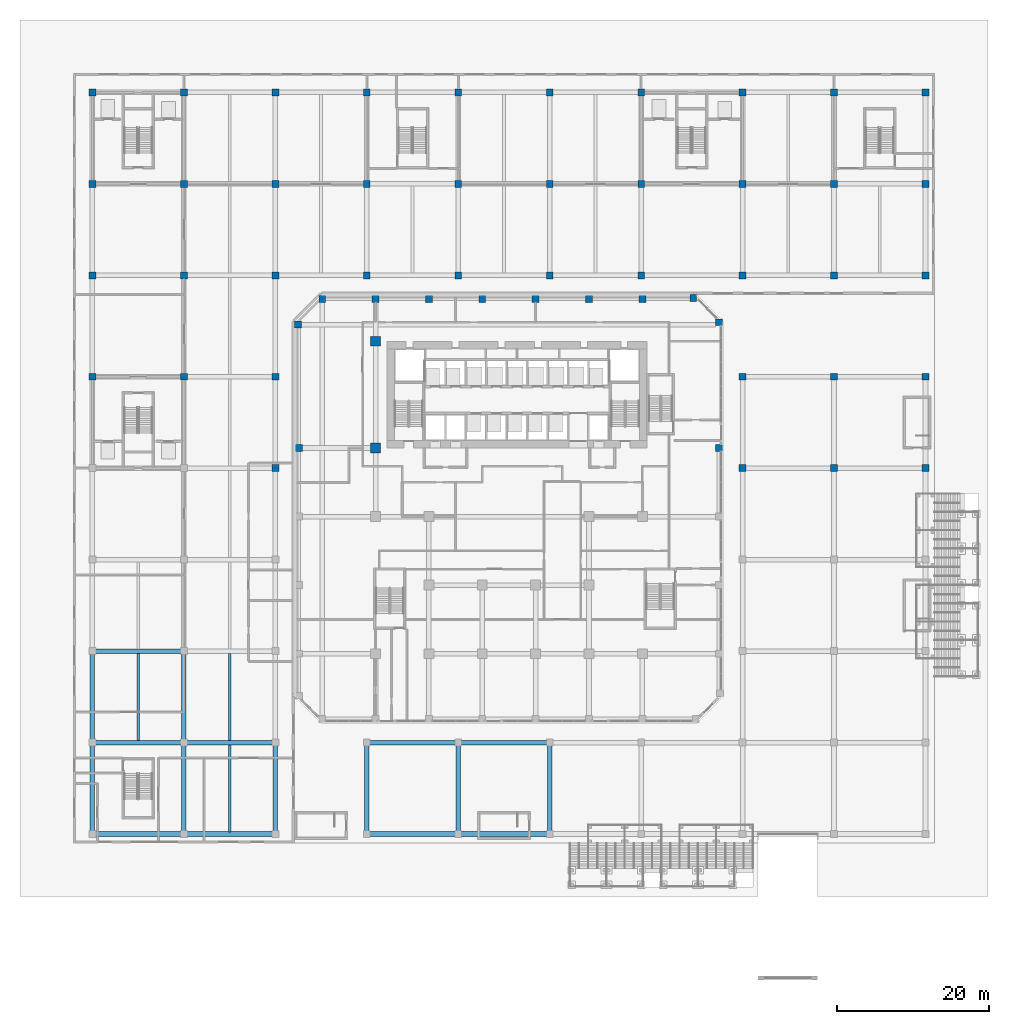
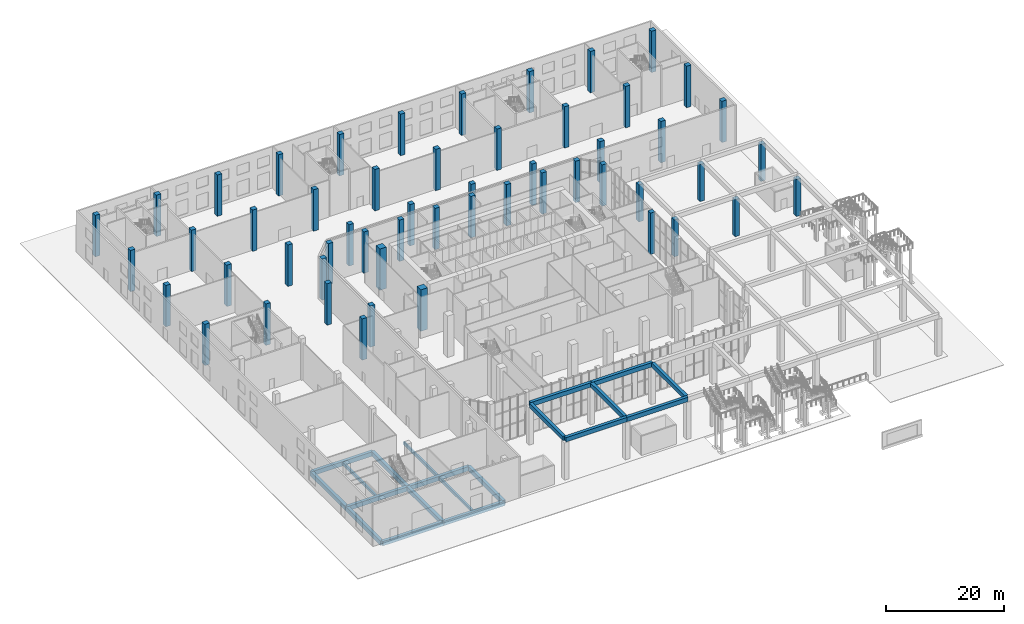
# One storey, part 2 of 43: 54 columns, 20 beams.
"""IFC4 building model written with IfcOpenShell, lengths in metres."""

import ifcopenshell
import ifcopenshell.guid

model = None  # the IFC model being written
_history = None  # IfcOwnerHistory: only IFC2X3 demands one
_inside = {}  # id of a spatial element -> (the spatial element, [elements in it])
_under = {}  # id of a project, library or spatial element -> (it, [spatial elements below it])
_declared = {}  # id of a project -> (the project, [libraries it declares])
_typed = {}  # id of a type object -> (the type object, [elements of that type])
_made_of = {}  # id of a material, layer set ... -> (it, [elements and type objects made of it])


def new_model(schema):
    """Start an empty IFC model of exactly this schema.

    Asked for "IFC4X3", IfcOpenShell would pick the latest addendum, in which some entities
    have other attributes; the version numbers below select the first issue.
    IFC2X3 requires an IfcOwnerHistory on every rooted entity: one is made here for all.
    """
    global model, _history
    if schema == "IFC4X3":
        model = ifcopenshell.file(schema_version=(4, 3, 0, 0))
    else:
        model = ifcopenshell.file(schema=schema)
    _inside.clear()
    _under.clear()
    _declared.clear()
    _typed.clear()
    _made_of.clear()
    _history = None
    if model.schema == "IFC2X3":
        org = make("IfcOrganization", Name="unknown")
        user = make(
            "IfcPersonAndOrganization",
            ThePerson=make("IfcPerson", FamilyName="unknown"),
            TheOrganization=org,
        )
        app = make(
            "IfcApplication",
            ApplicationDeveloper=org,
            Version="unknown",
            ApplicationFullName="unknown",
            ApplicationIdentifier="unknown",
        )
        _history = make(
            "IfcOwnerHistory",
            OwningUser=user,
            OwningApplication=app,
            ChangeAction="ADDED",
            CreationDate=0,
        )
    return model


def make(cls, **values):
    """One entity of the class cls with the attributes given. An attribute that is None is left unset."""
    return model.create_entity(
        cls, **{name: value for name, value in values.items() if value is not None}
    )


def rooted(cls, **values):
    """An entity with a GlobalId (a new one), such as an element, a storey or a relation."""
    return make(cls, GlobalId=ifcopenshell.guid.new(), OwnerHistory=_history, **values)


def si_unit(unit_type, name, prefix=None):
    """IfcSIUnit, for example si_unit("LENGTHUNIT", "METRE", prefix="MILLI")."""
    return make("IfcSIUnit", UnitType=unit_type, Prefix=prefix, Name=name)


def assignment(units):
    """IfcUnitAssignment: the units of a project."""
    return None if units is None else make("IfcUnitAssignment", Units=units)


def point(xyz):
    """IfcCartesianPoint."""
    return None if xyz is None else make("IfcCartesianPoint", Coordinates=xyz)


def direction(xyz):
    """IfcDirection."""
    return None if xyz is None else make("IfcDirection", DirectionRatios=xyz)


def frame(location, z_axis=None, x_axis=None):
    """IfcAxis2Placement3D, a coordinate frame: its origin and axes. An axis left out is left unset."""
    return make(
        "IfcAxis2Placement3D",
        Location=point(location),
        Axis=direction(z_axis),
        RefDirection=direction(x_axis),
    )


def frame_2d(location, x_axis=None):
    """IfcAxis2Placement2D, a coordinate frame in the plane: its origin and x axis."""
    return make(
        "IfcAxis2Placement2D", Location=point(location), RefDirection=direction(x_axis)
    )


def origin():
    """The frame at (0, 0, 0) with its axes left unset."""
    return frame((0.0, 0.0, 0.0))


def origin_2d():
    """The frame at (0, 0) in the plane with its x axis left unset."""
    return frame_2d((0.0, 0.0))


def place(relative_to, where):
    """IfcLocalPlacement: puts the frame where relative to a parent placement (None: the world)."""
    return make(
        "IfcLocalPlacement", PlacementRelTo=relative_to, RelativePlacement=where
    )


def context(
    kind, dimensions, precision=None, world=None, true_north=None, identifier=None
):
    """IfcGeometricRepresentationContext, for example the 3D "Model" context."""
    return make(
        "IfcGeometricRepresentationContext",
        ContextIdentifier=identifier,
        ContextType=kind,
        CoordinateSpaceDimension=dimensions,
        Precision=precision,
        WorldCoordinateSystem=world,
        TrueNorth=true_north,
    )


def subcontext(parent, identifier, kind, view, scale=None):
    """IfcGeometricRepresentationSubContext, for example "Body" below "Model"."""
    return make(
        "IfcGeometricRepresentationSubContext",
        ContextIdentifier=identifier,
        ContextType=kind,
        ParentContext=parent,
        TargetScale=scale,
        TargetView=view,
    )


def project(units=None, contexts=None):
    """IfcProject with its units and contexts."""
    return rooted(
        "IfcProject",
        Name="project",
        RepresentationContexts=contexts,
        UnitsInContext=assignment(units),
    )


def spatial(cls, under=None, at=None, **own):
    """A site, building, storey or space (cls), placed at a placement, below another one or the project."""
    s = rooted(cls, ObjectPlacement=at, **own)
    if under is not None:
        _under.setdefault(under.id(), (under, []))[1].append(s)
    return s


def profile(cls, at=None, kind="AREA", **sizes):
    """A parametric profile (cls). Its sizes go by their IFC names, for example OverallWidth=200.0."""
    return make(cls, ProfileType=kind, Position=at, **sizes)


def rectangle(**sizes):
    """IfcRectangleProfileDef."""
    return profile("IfcRectangleProfileDef", **sizes)


def extrude(swept, where, along, depth):
    """IfcExtrudedAreaSolid: the profile swept, set in the frame where, extruded along a direction by depth."""
    return make(
        "IfcExtrudedAreaSolid",
        SweptArea=swept,
        Position=where,
        ExtrudedDirection=direction(along),
        Depth=depth,
    )


def shape(context_of_items, identifier, shape_type, items):
    """IfcShapeRepresentation: the items that make up one representation, for example the "Body"."""
    return make(
        "IfcShapeRepresentation",
        ContextOfItems=context_of_items,
        RepresentationIdentifier=identifier,
        RepresentationType=shape_type,
        Items=items,
    )


def source(mapping_origin, context_of_items, identifier, shape_type, items):
    """IfcRepresentationMap: a shape defined once, which mapped items show again and again."""
    return make(
        "IfcRepresentationMap",
        MappingOrigin=mapping_origin,
        MappedRepresentation=shape(context_of_items, identifier, shape_type, items),
    )


def transform(
    local_origin,
    x_axis=None,
    y_axis=None,
    z_axis=None,
    scale=None,
    scale2=None,
    scale3=None,
    uniform=True,
):
    """IfcCartesianTransformationOperator3D, or its non-uniform kind. x_axis, y_axis, z_axis: its Axis1, 2, 3."""
    if uniform:
        return make(
            "IfcCartesianTransformationOperator3D",
            Axis1=direction(x_axis),
            Axis2=direction(y_axis),
            LocalOrigin=point(local_origin),
            Scale=scale,
            Axis3=direction(z_axis),
        )
    return make(
        "IfcCartesianTransformationOperator3DnonUniform",
        Axis1=direction(x_axis),
        Axis2=direction(y_axis),
        LocalOrigin=point(local_origin),
        Scale=scale,
        Axis3=direction(z_axis),
        Scale2=scale2,
        Scale3=scale3,
    )


def mapped(mapping_source, mapping_target):
    """IfcMappedItem: shows the shape of a source again, moved by a transform."""
    return make(
        "IfcMappedItem", MappingSource=mapping_source, MappingTarget=mapping_target
    )


def material(Name=None, Category=None):
    """IfcMaterial."""
    return make("IfcMaterial", Name=Name, Category=Category)


def material_profile(
    of_material, cross_section, Name=None, Category=None, Priority=None
):
    """IfcMaterialProfile: a cross section and its material."""
    return make(
        "IfcMaterialProfile",
        Name=Name,
        Material=of_material,
        Profile=cross_section,
        Priority=Priority,
        Category=Category,
    )


def profile_set(profiles, Name=None, composite=None):
    """IfcMaterialProfileSet."""
    return make(
        "IfcMaterialProfileSet",
        Name=Name,
        MaterialProfiles=profiles,
        CompositeProfile=composite,
    )


def made_of(thing, what):
    """Note that an element or type object is made of a material, layer set ...; save() writes the relation."""
    if what is not None:
        _made_of.setdefault(what.id(), (what, []))[1].append(thing)
    return thing


def type_object(cls, material=None, **own):
    """A type object (cls), such as IfcWallType, which elements share."""
    return made_of(rooted(cls, **own), material)


def element(
    cls,
    number,
    at=None,
    inside=None,
    cuts=None,
    type_object=None,
    material=None,
    context=None,
    identifier="Body",
    shape_type=None,
    held_by="IfcProductDefinitionShape",
    body=None,
    shapes=None,
    **own,
):
    """One element of the class cls, such as IfcWall. Its Tag is "e" and its number.

    at: its placement. inside: the storey or other place that contains it. cuts: it is an
    opening in that element (IfcRelVoidsElement). A single representation is given by context,
    identifier, shape_type and body (its items); several are given by shapes. held_by: the class
    of the entity that holds the representations. save() writes the other relations.
    """
    e = rooted(cls, Tag="e%d" % number, ObjectPlacement=at, **own)
    if body is not None:
        shapes = [shape(context, identifier, shape_type, body)]
    if shapes is not None:
        e.Representation = make(held_by, Representations=shapes)
    if inside is not None:
        _inside.setdefault(inside.id(), (inside, []))[1].append(e)
    if cuts is not None:
        rooted(
            "IfcRelVoidsElement", RelatingBuildingElement=cuts, RelatedOpeningElement=e
        )
    if type_object is not None:
        _typed.setdefault(type_object.id(), (type_object, []))[1].append(e)
    return made_of(e, material)


def aggregate(whole, parts):
    """IfcRelAggregates: a whole, such as a stair, and the parts it consists of."""
    return rooted("IfcRelAggregates", RelatingObject=whole, RelatedObjects=parts)


def save(model, path):
    """Write the relations noted so far, then the file.

    IfcRelAggregates (storeys below a building ...), IfcRelContainedInSpatialStructure (elements
    in a storey), IfcRelDefinesByType, IfcRelAssociatesMaterial and IfcRelDeclares: one each for
    every whole, place, type object, material and project.
    """
    for whole, parts in _under.values():
        aggregate(whole, parts)
    for where, things in _inside.values():
        rooted(
            "IfcRelContainedInSpatialStructure",
            RelatedElements=things,
            RelatingStructure=where,
        )
    for kind, things in _typed.values():
        rooted("IfcRelDefinesByType", RelatedObjects=things, RelatingType=kind)
    for what, things in _made_of.values():
        rooted("IfcRelAssociatesMaterial", RelatedObjects=things, RelatingMaterial=what)
    for by, libraries in _declared.values():
        rooted("IfcRelDeclares", RelatingContext=by, RelatedDefinitions=libraries)
    model.write(path)


model = new_model("IFC4")

# Units and contexts
model_context = context("Model", 3, precision=1e-05, world=origin(), true_north=direction((0.0, 1.0)))
body_context = subcontext(model_context, "Body", "Model", "MODEL_VIEW")
ifc_project = project(units=[si_unit("LENGTHUNIT", "METRE"), si_unit("AREAUNIT", "SQUARE_METRE"), si_unit("VOLUMEUNIT", "CUBIC_METRE"), si_unit("PLANEANGLEUNIT", "RADIAN"), si_unit("MASSUNIT", "GRAM", prefix="KILO")], contexts=[model_context])

# Site, building, storey
site_placement = place(None, origin())
site = spatial("IfcSite", under=ifc_project, at=site_placement, CompositionType="ELEMENT")
building_placement = place(site_placement, origin())
building = spatial("IfcBuilding", under=site, at=building_placement, Name="Kilnfold Tower and Market Hall", CompositionType="ELEMENT")
storey_placement = place(building_placement, origin())
storey = spatial("IfcBuildingStorey", under=building, at=storey_placement, Name="L00", CompositionType="ELEMENT", Elevation=0.0)

# Columns
ifc_material_1 = material(Name="Concrete C80", Category="concrete")
ifc_material_profile_1 = material_profile(ifc_material_1, rectangle(XDim=0.89990234375, YDim=0.89990234375, at=origin_2d()), Name="RC 900x900")
ifc_profile_set_1 = profile_set([ifc_material_profile_1], Name="Concrete C80")
column_type_1 = type_object("IfcColumnType", Name="COLUMN 900X900 C80", PredefinedType="COLUMN", material=ifc_profile_set_1)
shared_shape_1 = source(origin(), body_context, "Body", "SweptSolid", [
    extrude(rectangle(XDim=0.89990234375, YDim=0.89990234375, at=origin_2d()), origin(), (0.0, 0.0, 1.0), 8.60009765625),
])
for number, where, z_axis, x_axis, name in (
    (1, (-27.681884765625, 24.181884765625, 0.0), (0.0, 0.0, 1.0), (1.0, 0.0, 0.0), "Column C-B1-1H"),
    (2, (-27.550048828125, 8.0, 0.0), (0.0, 0.0, 1.0), (1.0, 0.0, 0.0), "Column C-B1-1F"),
    (3, (-24.5, 27.550048828125, 0.0), (0.0, 0.0, 1.0), (1.0, 0.0, 0.0), "Column C-B1-2I"),
    (4, (-17.5, 27.550048828125, 0.0), (0.0, 0.0, 1.0), (1.0, 0.0, 0.0), "Column C-B1-3I"),
    (5, (-10.5, 27.550048828125, 0.0), (0.0, 0.0, 1.0), (1.0, 0.0, 0.0), "Column C-B1-4I"),
    (6, (-3.5, 27.550048828125, 0.0), (0.0, 0.0, 1.0), (1.0, 0.0, 0.0), "Column C-B1-5I"),
    (7, (3.5, 27.550048828125, 0.0), (0.0, 0.0, 1.0), (1.0, 0.0, 0.0), "Column C-B1-6I"),
    (8, (10.5, 27.550048828125, 0.0), (0.0, 0.0, 1.0), (1.0, 0.0, 0.0), "Column C-B1-7I"),
    (9, (17.5, 27.550048828125, 0.0), (0.0, 0.0, 1.0), (1.0, 0.0, 0.0), "Column C-B1-8I"),
    (10, (24.181884765625, 27.681884765625, 0.0), (0.0, 0.0, 1.0), (1.0, 0.0, 0.0), "Column C-B1-9I"),
    (11, (27.550048828125, 8.0, 0.0), (0.0, 0.0, 1.0), (1.0, 0.0, 0.0), "Column C-B1-10F"),
    (12, (27.550048828125, 24.5, 0.0), (0.0, 0.0, 1.0), (1.0, 0.0, 0.0), "Column C-B1-10H"),
):
    element("IfcColumn", number, at=place(storey_placement, frame(where, z_axis=z_axis, x_axis=x_axis)), inside=storey, type_object=column_type_1, Name=name, PredefinedType="COLUMN", context=body_context, shape_type="MappedRepresentation", body=[
        mapped(shared_shape_1, transform((0.0, 0.0, 0.0))),
    ])
ifc_material_2 = material(Name="Concrete C80", Category="concrete")
ifc_material_profile_2 = material_profile(ifc_material_2, rectangle(XDim=1.300048828125, YDim=1.300048828125, at=origin_2d()), Name="RC 1300x1300")
ifc_profile_set_2 = profile_set([ifc_material_profile_2], Name="Concrete C80")
column_type_2 = type_object("IfcColumnType", Name="COLUMN 1300X1300 C80", PredefinedType="COLUMN", material=ifc_profile_set_2)
shared_shape_2 = source(origin(), body_context, "Body", "SweptSolid", [
    extrude(rectangle(XDim=1.300048828125, YDim=1.300048828125, at=origin_2d()), origin(), (0.0, 0.0, 1.0), 8.60009765625),
])
for number, where, z_axis, x_axis, name in (
    (13, (-17.5, 8.0, 0.0), (0.0, 0.0, 1.0), (1.0, 0.0, 0.0), "Column C-B1-3F"),
    (14, (-17.5, 22.0, 0.0), (0.0, 0.0, 1.0), (1.0, 0.0, 0.0), "Column C-B1-3G"),
):
    element("IfcColumn", number, at=place(storey_placement, frame(where, z_axis=z_axis, x_axis=x_axis)), inside=storey, type_object=column_type_2, Name=name, PredefinedType="COLUMN", context=body_context, shape_type="MappedRepresentation", body=[
        mapped(shared_shape_2, transform((0.0, 0.0, 0.0))),
    ])
ifc_material_3 = material(Name="Concrete C60/75", Category="concrete")
ifc_material_profile_3 = material_profile(ifc_material_3, rectangle(XDim=0.89990234375, YDim=0.89990234375, at=origin_2d()), Name="RC 900x900")
ifc_profile_set_3 = profile_set([ifc_material_profile_3], Name="Concrete C60/75")
column_type_3 = type_object("IfcColumnType", Name="HALL COL 900", PredefinedType="COLUMN", material=ifc_profile_set_3)
shared_shape_3 = source(origin(), body_context, "Body", "SweptSolid", [
    extrude(rectangle(XDim=0.89990234375, YDim=0.89990234375, at=origin_2d()), origin(), (0.0, 0.0, 1.0), 8.60009765625),
])
for number, where, z_axis, x_axis, name in (
    (15, (-54.64990234375, 17.35009765625, 0.0), (0.0, 0.0, 1.0), (1.0, 0.0, 0.0), "Column MC-1F"),
    (16, (-54.64990234375, 30.64990234375, 0.0), (0.0, 0.0, 1.0), (1.0, 0.0, 0.0), "Column MC-1G"),
    (17, (-54.64990234375, 42.64990234375, 0.0), (0.0, 0.0, 1.0), (1.0, 0.0, 0.0), "Column MC-1H"),
    (18, (-54.64990234375, 54.64990234375, 0.0), (0.0, 0.0, 1.0), (1.0, 0.0, 0.0), "Column MC-1I"),
    (19, (-42.64990234375, 17.35009765625, 0.0), (0.0, 0.0, 1.0), (1.0, 0.0, 0.0), "Column MC-2F"),
    (20, (-42.64990234375, 30.64990234375, 0.0), (0.0, 0.0, 1.0), (1.0, 0.0, 0.0), "Column MC-2G"),
    (21, (-42.64990234375, 42.64990234375, 0.0), (0.0, 0.0, 1.0), (1.0, 0.0, 0.0), "Column MC-2H"),
    (22, (-42.64990234375, 54.64990234375, 0.0), (0.0, 0.0, 1.0), (1.0, 0.0, 0.0), "Column MC-2I"),
    (23, (-30.64990234375, 5.35009765625, 0.0), (0.0, 0.0, 1.0), (1.0, 0.0, 0.0), "Column MC-3E"),
    (24, (-30.64990234375, 17.35009765625, 0.0), (0.0, 0.0, 1.0), (1.0, 0.0, 0.0), "Column MC-3F"),
    (25, (-30.64990234375, 30.64990234375, 0.0), (0.0, 0.0, 1.0), (1.0, 0.0, 0.0), "Column MC-3G"),
    (26, (-30.64990234375, 42.64990234375, 0.0), (0.0, 0.0, 1.0), (1.0, 0.0, 0.0), "Column MC-3H"),
    (27, (-30.64990234375, 54.64990234375, 0.0), (0.0, 0.0, 1.0), (1.0, 0.0, 0.0), "Column MC-3I"),
    (28, (-18.64990234375, 30.64990234375, 0.0), (0.0, 0.0, 1.0), (1.0, 0.0, 0.0), "Column MC-4G"),
    (29, (-18.64990234375, 42.64990234375, 0.0), (0.0, 0.0, 1.0), (1.0, 0.0, 0.0), "Column MC-4H"),
    (30, (-18.64990234375, 54.64990234375, 0.0), (0.0, 0.0, 1.0), (1.0, 0.0, 0.0), "Column MC-4I"),
    (31, (-6.64990234375, 30.64990234375, 0.0), (0.0, 0.0, 1.0), (1.0, 0.0, 0.0), "Column MC-5G"),
    (32, (-6.64990234375, 42.64990234375, 0.0), (0.0, 0.0, 1.0), (1.0, 0.0, 0.0), "Column MC-5H"),
    (33, (-6.64990234375, 54.64990234375, 0.0), (0.0, 0.0, 1.0), (1.0, 0.0, 0.0), "Column MC-5I"),
    (34, (5.35009765625, 30.64990234375, 0.0), (0.0, 0.0, 1.0), (1.0, 0.0, 0.0), "Column MC-6G"),
    (35, (5.35009765625, 42.64990234375, 0.0), (0.0, 0.0, 1.0), (1.0, 0.0, 0.0), "Column MC-6H"),
    (36, (5.35009765625, 54.64990234375, 0.0), (0.0, 0.0, 1.0), (1.0, 0.0, 0.0), "Column MC-6I"),
    (37, (17.35009765625, 30.64990234375, 0.0), (0.0, 0.0, 1.0), (1.0, 0.0, 0.0), "Column MC-7G"),
    (38, (17.35009765625, 42.64990234375, 0.0), (0.0, 0.0, 1.0), (1.0, 0.0, 0.0), "Column MC-7H"),
    (39, (17.35009765625, 54.64990234375, 0.0), (0.0, 0.0, 1.0), (1.0, 0.0, 0.0), "Column MC-7I"),
    (40, (30.64990234375, 30.64990234375, 0.0), (0.0, 0.0, 1.0), (1.0, 0.0, 0.0), "Column MC-8G"),
    (41, (30.64990234375, 42.64990234375, 0.0), (0.0, 0.0, 1.0), (1.0, 0.0, 0.0), "Column MC-8H"),
    (42, (30.64990234375, 54.64990234375, 0.0), (0.0, 0.0, 1.0), (1.0, 0.0, 0.0), "Column MC-8I"),
    (43, (42.64990234375, 30.64990234375, 0.0), (0.0, 0.0, 1.0), (1.0, 0.0, 0.0), "Column MC-9G"),
    (44, (42.64990234375, 42.64990234375, 0.0), (0.0, 0.0, 1.0), (1.0, 0.0, 0.0), "Column MC-9H"),
    (45, (42.64990234375, 54.64990234375, 0.0), (0.0, 0.0, 1.0), (1.0, 0.0, 0.0), "Column MC-9I"),
    (46, (54.64990234375, 30.64990234375, 0.0), (0.0, 0.0, 1.0), (1.0, 0.0, 0.0), "Column MC-10G"),
    (47, (54.64990234375, 42.64990234375, 0.0), (0.0, 0.0, 1.0), (1.0, 0.0, 0.0), "Column MC-10H"),
    (48, (54.64990234375, 54.64990234375, 0.0), (0.0, 0.0, 1.0), (1.0, 0.0, 0.0), "Column MC-10I"),
):
    element("IfcColumn", number, at=place(storey_placement, frame(where, z_axis=z_axis, x_axis=x_axis)), inside=storey, type_object=column_type_3, Name=name, PredefinedType="COLUMN", context=body_context, shape_type="MappedRepresentation", body=[
        mapped(shared_shape_3, transform((0.0, 0.0, 0.0))),
    ])
ifc_material_4 = material(Name="Concrete C60/75", Category="concrete")
ifc_material_profile_4 = material_profile(ifc_material_4, rectangle(XDim=0.89990234375, YDim=0.89990234375, at=origin_2d()), Name="RC 900x900")
ifc_profile_set_4 = profile_set([ifc_material_profile_4], Name="Concrete C60/75")
column_type_4 = type_object("IfcColumnType", Name="ARCADE COLUMN 900", PredefinedType="COLUMN", material=ifc_profile_set_4)
shared_shape_4 = source(origin(), body_context, "Body", "SweptSolid", [
    extrude(rectangle(XDim=0.89990234375, YDim=0.89990234375, at=origin_2d()), origin(), (0.0, 0.0, 1.0), 7.699951171875),
])
for number, where, z_axis, x_axis, name in (
    (49, (30.64990234375, 5.35009765625, 0.0), (0.0, 0.0, 1.0), (1.0, 0.0, 0.0), "Arcade column MC-8E"),
    (50, (30.64990234375, 17.35009765625, 0.0), (0.0, 0.0, 1.0), (1.0, 0.0, 0.0), "Arcade column MC-8F"),
    (51, (42.64990234375, 5.35009765625, 0.0), (0.0, 0.0, 1.0), (1.0, 0.0, 0.0), "Arcade column MC-9E"),
    (52, (42.64990234375, 17.35009765625, 0.0), (0.0, 0.0, 1.0), (1.0, 0.0, 0.0), "Arcade column MC-9F"),
    (53, (54.64990234375, 5.35009765625, 0.0), (0.0, 0.0, 1.0), (1.0, 0.0, 0.0), "Arcade column MC-10E"),
    (54, (54.64990234375, 17.35009765625, 0.0), (0.0, 0.0, 1.0), (1.0, 0.0, 0.0), "Arcade column MC-10F"),
):
    element("IfcColumn", number, at=place(storey_placement, frame(where, z_axis=z_axis, x_axis=x_axis)), inside=storey, type_object=column_type_4, Name=name, PredefinedType="COLUMN", context=body_context, shape_type="MappedRepresentation", body=[
        mapped(shared_shape_4, transform((0.0, 0.0, 0.0))),
    ])

# Beams
ifc_material_5 = material(Name="Concrete C40/50", Category="concrete")
ifc_material_profile_5 = material_profile(ifc_material_5, rectangle(XDim=0.60009765625, YDim=0.89990234375, at=origin_2d()), Name="RC 600x900")
ifc_profile_set_5 = profile_set([ifc_material_profile_5], Name="Concrete C40/50")
beam_type_1 = type_object("IfcBeamType", Name="HALL GIRDER 600X900", PredefinedType="BEAM", material=ifc_profile_set_5)
for number, where, z_axis, x_axis, name in (
    (55, (-54.64990234375, -42.64990234375, -0.860107421875), (0.0, 1.0, 0.0), (-1.0, 0.0, 0.0), "Beam MG1.1"),
    (56, (-54.64990234375, -42.64990234375, -0.860107421875), (1.0, 0.0, 0.0), (0.0, 1.0, 0.0), "Beam MG1.2"),
    (57, (-54.64990234375, -30.64990234375, -0.860107421875), (0.0, 1.0, 0.0), (-1.0, 0.0, 0.0), "Beam MG1.3"),
    (58, (-54.64990234375, -30.64990234375, -0.860107421875), (1.0, 0.0, 0.0), (0.0, 1.0, 0.0), "Beam MG1.4"),
    (59, (-54.64990234375, -18.64990234375, -0.860107421875), (1.0, 0.0, 0.0), (0.0, 1.0, 0.0), "Beam MG1.6"),
    (60, (-42.64990234375, -42.64990234375, -0.860107421875), (0.0, 1.0, 0.0), (-1.0, 0.0, 0.0), "Beam MG1.18"),
    (61, (-42.64990234375, -42.64990234375, -0.860107421875), (1.0, 0.0, 0.0), (0.0, 1.0, 0.0), "Beam MG1.19"),
    (62, (-42.64990234375, -30.64990234375, -0.860107421875), (0.0, 1.0, 0.0), (-1.0, 0.0, 0.0), "Beam MG1.20"),
    (63, (-42.64990234375, -30.64990234375, -0.860107421875), (1.0, 0.0, 0.0), (0.0, 1.0, 0.0), "Beam MG1.21"),
    (64, (-30.64990234375, -42.64990234375, -0.860107421875), (0.0, 1.0, 0.0), (-1.0, 0.0, 0.0), "Beam MG1.35"),
):
    element("IfcBeam", number, at=place(storey_placement, frame(where, z_axis=z_axis, x_axis=x_axis)), inside=storey, type_object=beam_type_1, Name=name, PredefinedType="BEAM", context=body_context, shape_type="SweptSolid", body=[
        extrude(rectangle(XDim=0.60009765625, YDim=0.89990234375, at=origin_2d()), origin(), (0.0, 0.0, 1.0), 12.0),
    ])
ifc_material_6 = material(Name="Concrete C40/50", Category="concrete")
ifc_material_profile_6 = material_profile(ifc_material_6, rectangle(XDim=0.35009765625, YDim=0.60009765625, at=origin_2d()), Name="RC 350x600")
ifc_profile_set_6 = profile_set([ifc_material_profile_6], Name="Concrete C40/50")
beam_type_2 = type_object("IfcBeamType", Name="HALL JOIST 350X600", PredefinedType="BEAM", material=ifc_profile_set_6)
for number, where, z_axis, x_axis, name in (
    (65, (-48.64990234375, -30.35009765625, -0.7099609375), (0.0, 1.0, 0.0), (-1.0, 0.0, 0.0), "Beam MJ1.1"),
    (66, (-36.64990234375, -42.35009765625, -0.7099609375), (0.0, 1.0, 0.0), (-1.0, 0.0, 0.0), "Beam MJ1.3"),
    (67, (-36.64990234375, -30.35009765625, -0.7099609375), (0.0, 1.0, 0.0), (-1.0, 0.0, 0.0), "Beam MJ1.4"),
):
    element("IfcBeam", number, at=place(storey_placement, frame(where, z_axis=z_axis, x_axis=x_axis)), inside=storey, type_object=beam_type_2, Name=name, PredefinedType="BEAM", context=body_context, shape_type="SweptSolid", body=[
        extrude(rectangle(XDim=0.35009765625, YDim=0.60009765625, at=origin_2d()), origin(), (0.0, 0.0, 1.0), 11.400146484375),
    ])
ifc_material_7 = material(Name="Concrete C40/50", Category="concrete")
ifc_material_profile_7 = material_profile(ifc_material_7, rectangle(XDim=0.60009765625, YDim=0.89990234375, at=origin_2d()), Name="RC 600x900")
ifc_profile_set_7 = profile_set([ifc_material_profile_7], Name="Concrete C40/50")
beam_type_3 = type_object("IfcBeamType", Name="DECK GIRDER 600X900", PredefinedType="BEAM", material=ifc_profile_set_7)
shared_shape_5 = source(origin(), body_context, "Body", "SweptSolid", [
    extrude(rectangle(XDim=0.60009765625, YDim=0.89990234375, at=origin_2d()), origin(), (0.0, 0.0, 1.0), 12.0),
])
for number, where, z_axis, x_axis, name in (
    (68, (-18.64990234375, -42.64990234375, 8.14990234375), (1.0, 0.0, 0.0), (0.0, 1.0, 0.0), "Deck girder DG1-1"),
    (69, (-6.64990234375, -42.64990234375, 8.14990234375), (1.0, 0.0, 0.0), (0.0, 1.0, 0.0), "Deck girder DG1-2"),
    (70, (-18.64990234375, -30.64990234375, 8.14990234375), (1.0, 0.0, 0.0), (0.0, 1.0, 0.0), "Deck girder DG1-7"),
    (71, (-6.64990234375, -30.64990234375, 8.14990234375), (1.0, 0.0, 0.0), (0.0, 1.0, 0.0), "Deck girder DG1-8"),
):
    element("IfcBeam", number, at=place(storey_placement, frame(where, z_axis=z_axis, x_axis=x_axis)), inside=storey, type_object=beam_type_3, Name=name, PredefinedType="BEAM", context=body_context, shape_type="MappedRepresentation", body=[
        mapped(shared_shape_5, transform((0.0, 0.0, 0.0))),
    ])
shared_shape_6 = source(origin(), body_context, "Body", "SweptSolid", [
    extrude(rectangle(XDim=0.60009765625, YDim=0.89990234375, at=origin_2d()), origin(), (0.0, 0.0, 1.0), 11.400146484375),
])
for number, where, z_axis, x_axis, name in (
    (72, (-18.64990234375, -42.35009765625, 8.14990234375), (0.0, 1.0, 0.0), (-1.0, 0.0, 0.0), "Deck girder DG1-21"),
    (73, (-6.64990234375, -42.35009765625, 8.14990234375), (0.0, 1.0, 0.0), (-1.0, 0.0, 0.0), "Deck girder DG1-22"),
    (74, (5.35009765625, -42.35009765625, 8.14990234375), (0.0, 1.0, 0.0), (-1.0, 0.0, 0.0), "Deck girder DG1-23"),
):
    element("IfcBeam", number, at=place(storey_placement, frame(where, z_axis=z_axis, x_axis=x_axis)), inside=storey, type_object=beam_type_3, Name=name, PredefinedType="BEAM", context=body_context, shape_type="MappedRepresentation", body=[
        mapped(shared_shape_6, transform((0.0, 0.0, 0.0))),
    ])

save(model, "model.ifc")
